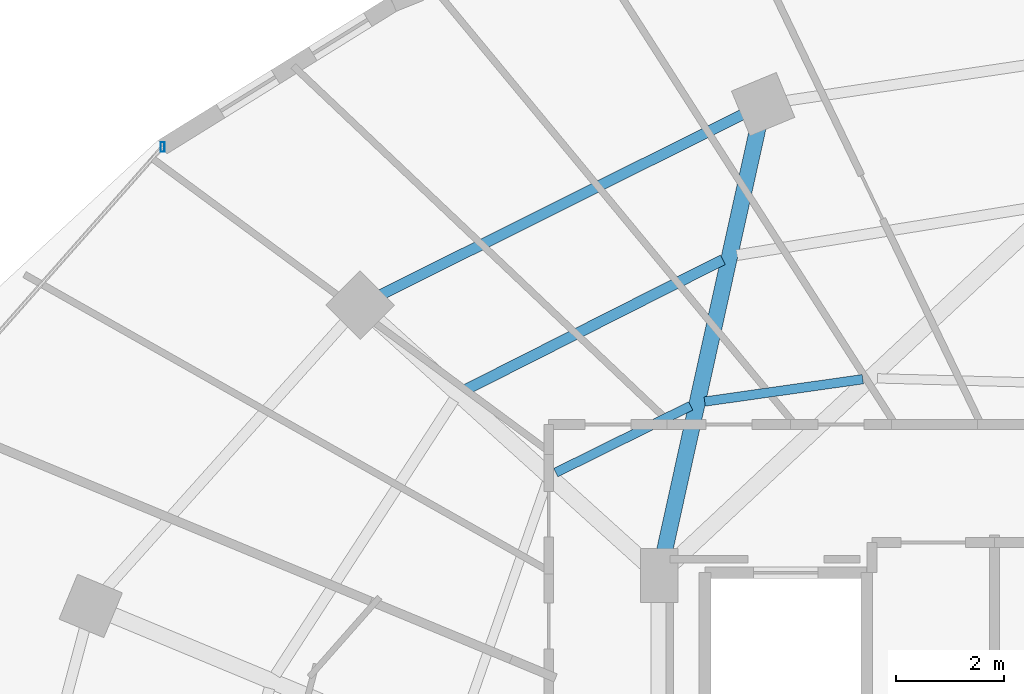
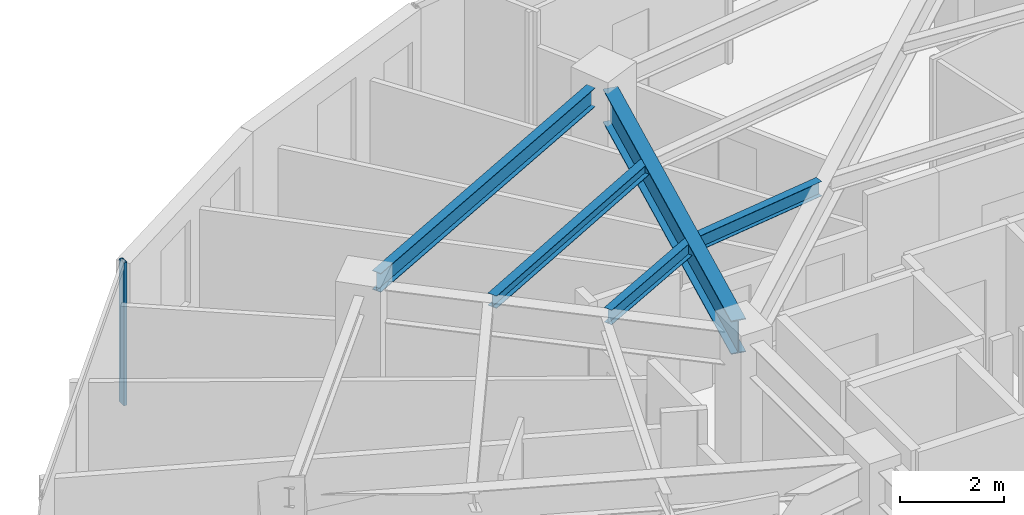
# One storey, part 17 of 33: 5 beams, 1 member, 1 element without a shape of its own.
"""IFC4 building model written with IfcOpenShell, lengths in metres."""

from ifc_helpers import new_model, si_unit, direction, frame, origin, origin_2d, place, context, subcontext, project, spatial, hollow_rectangle, i_section, extrude, material, material_profile, profile_set, type_object, element, aggregate, save


model = new_model("IFC4")

# Units and contexts
model_context = context("Model", 3, precision=1e-05, world=origin(), true_north=direction((0.0, 1.0)))
body_context = subcontext(model_context, "Body", "Model", "MODEL_VIEW")
ifc_project = project(units=[si_unit("LENGTHUNIT", "METRE"), si_unit("AREAUNIT", "SQUARE_METRE"), si_unit("VOLUMEUNIT", "CUBIC_METRE"), si_unit("PLANEANGLEUNIT", "RADIAN"), si_unit("MASSUNIT", "GRAM", prefix="KILO")], contexts=[model_context])

# Site, building, storey
site_placement = place(None, origin())
site = spatial("IfcSite", under=ifc_project, at=site_placement, CompositionType="ELEMENT")
building_placement = place(site_placement, origin())
building = spatial("IfcBuilding", under=site, at=building_placement, Name="Vorneva Point Tower", CompositionType="ELEMENT")
storey_placement = place(building_placement, frame((0.0, 0.0, 217.85009765625)))
storey = spatial("IfcBuildingStorey", under=building, at=storey_placement, Name="L59", CompositionType="ELEMENT", Elevation=217.85009765625)

# Beams
ifc_material_1 = material(Name="Steel S355", Category="steel")
ifc_material_profile_1 = material_profile(ifc_material_1, i_section(OverallWidth=0.300048828125, OverallDepth=0.7880859375, WebThickness=0.014404296875, FlangeThickness=0.02197265625, at=origin_2d()), Name="80Sh1")
ifc_profile_set_1 = profile_set([ifc_material_profile_1], Name="Steel S355")
beam_type_1 = type_object("IfcBeamType", Name="BM-GRD-80Sh1", PredefinedType="USERDEFINED", material=ifc_profile_set_1)
beam_1_placement = place(storey_placement, frame((29.084716796875, 41.462890625, 2.89599609375), z_axis=(-0.215522758292, -0.976498817541, 0.0), x_axis=(0.976498817541, -0.215522758292, 0.0)))
element("IfcBeam", 1, at=beam_1_placement, inside=storey, type_object=beam_type_1, Name="L59 Radial Primary Girder 06", ObjectType="GIRDER", PredefinedType="USERDEFINED", context=body_context, shape_type="SweptSolid", body=[
    extrude(i_section(OverallWidth=0.300048828125, OverallDepth=0.7880859375, WebThickness=0.014404296875, FlangeThickness=0.02197265625, at=origin_2d()), origin(), (0.0, 0.0, 1.0), 8.173095703125),
])
ifc_material_profile_2 = material_profile(ifc_material_1, i_section(OverallWidth=0.199951171875, OverallDepth=0.291015625, WebThickness=0.008056640625, FlangeThickness=0.010986328125, at=origin_2d()), Name="30Sh1")
ifc_profile_set_2 = profile_set([ifc_material_profile_2], Name="Steel S355")
beam_type_2 = type_object("IfcBeamType", Name="BM-SEC-30Sh1", PredefinedType="BEAM", material=ifc_profile_set_2)
beam_2_placement = place(storey_placement, frame((28.43310546875, 39.00634765625, 3.144287109375), z_axis=(-0.892445275424, -0.451155660912, 0.0), x_axis=(0.451155660912, -0.892445275424, 0.0)))
element("IfcBeam", 2, at=beam_2_placement, inside=storey, type_object=beam_type_2, Name="L59 Secondary Floor Beam 1.06", PredefinedType="BEAM", context=body_context, shape_type="SweptSolid", body=[
    extrude(i_section(OverallWidth=0.199951171875, OverallDepth=0.291015625, WebThickness=0.008056640625, FlangeThickness=0.010986328125, at=origin_2d()), origin(), (0.0, 0.0, 1.0), 5.369873046875),
])
ifc_material_profile_3 = material_profile(ifc_material_1, i_section(OverallWidth=0.174072265625, OverallDepth=0.345947265625, WebThickness=0.006103515625, FlangeThickness=0.009033203125, at=origin_2d()), Name="35B1")
ifc_profile_set_3 = profile_set([ifc_material_profile_3], Name="Steel S355")
beam_type_3 = type_object("IfcBeamType", Name="BM-SEC-35B1", PredefinedType="BEAM", material=ifc_profile_set_3)
beam_3_placement = place(storey_placement, frame((31.027099609375, 36.78955078125, 3.116943359375), z_axis=(-0.990136526525, -0.140105884393, 0.0), x_axis=(0.140105884393, -0.990136526525, 0.0)))
element("IfcBeam", 3, at=beam_3_placement, inside=storey, type_object=beam_type_3, Name="L59 Secondary Floor Beam 2.05", PredefinedType="BEAM", context=body_context, shape_type="SweptSolid", body=[
    extrude(i_section(OverallWidth=0.174072265625, OverallDepth=0.345947265625, WebThickness=0.006103515625, FlangeThickness=0.009033203125, at=origin_2d()), origin(), (0.0, 0.0, 1.0), 2.96240234375),
])
beam_4_placement = place(storey_placement, frame((27.833740234375, 36.2939453125, 3.116943359375), z_axis=(-0.896290822353, -0.443466753845, 0.0), x_axis=(0.443466753845, -0.896290822353, 0.0)))
element("IfcBeam", 4, at=beam_4_placement, inside=storey, type_object=beam_type_3, Name="L59 Secondary Floor Beam 2.06", PredefinedType="BEAM", context=body_context, shape_type="SweptSolid", body=[
    extrude(i_section(OverallWidth=0.174072265625, OverallDepth=0.345947265625, WebThickness=0.006103515625, FlangeThickness=0.009033203125, at=origin_2d()), origin(), (0.0, 0.0, 1.0), 2.791748046875),
])
ifc_material_profile_4 = material_profile(ifc_material_1, i_section(OverallWidth=0.198974609375, OverallDepth=0.446044921875, WebThickness=0.008056640625, FlangeThickness=0.011962890625, at=origin_2d()), Name="45B1")
ifc_profile_set_4 = profile_set([ifc_material_profile_4], Name="Steel S355")
beam_type_4 = type_object("IfcBeamType", Name="BM-SPN-45B1", PredefinedType="SPANDREL", material=ifc_profile_set_4)
beam_5_placement = place(storey_placement, frame((28.789794921875, 41.696533203125, 3.06689453125), z_axis=(-0.894922371084, -0.446221861559, 0.0), x_axis=(0.446221861559, -0.894922371084, 0.0)))
element("IfcBeam", 5, at=beam_5_placement, inside=storey, type_object=beam_type_4, Name="L59 Perimeter Spandrel Ring Beam 06", PredefinedType="SPANDREL", context=body_context, shape_type="SweptSolid", body=[
    extrude(i_section(OverallWidth=0.198974609375, OverallDepth=0.446044921875, WebThickness=0.008056640625, FlangeThickness=0.011962890625, at=origin_2d()), origin(), (0.0, 0.0, 1.0), 7.48583984375),
])

# Curtain wall, member
ifc_material_2 = material(Name="Pale anodised aluminium", Category="aluminium")
curtain_wall_type = type_object("IfcCurtainWallType", Name="CW-RES-SYS", PredefinedType="NOTDEFINED", material=ifc_material_2)
curtain_wall_placement = place(storey_placement, origin())
curtain_wall = element("IfcCurtainWall", 6, at=curtain_wall_placement, inside=storey, type_object=curtain_wall_type, Name="L59 Unitised Curtain Wall CW-L59-R02", PredefinedType="NOTDEFINED")
ifc_material_profile_5 = material_profile(ifc_material_2, hollow_rectangle(XDim=0.074951171875, YDim=0.179931640625, WallThickness=0.00390625, at=origin_2d()), Name="AL-MUL 180x75x4")
ifc_profile_set_5 = profile_set([ifc_material_profile_5], Name="Pale anodised aluminium")
member_type = type_object("IfcMemberType", Name="CW-MUL-180", PredefinedType="MULLION", material=ifc_profile_set_5)
member_placement = place(storey_placement, frame((18.038330078125, 41.0966796875, -0.0400390625), z_axis=(0.0, 0.0, 1.0), x_axis=(1.0, 0.0, 0.0)))
member = element("IfcMember", 7, at=member_placement, type_object=member_type, Name="CW-L59-R02 Mullion 01", PredefinedType="MULLION", context=body_context, shape_type="SweptSolid", body=[
    extrude(hollow_rectangle(XDim=0.074951171875, YDim=0.179931640625, WallThickness=0.00390625, at=origin_2d()), origin(), (0.0, 0.0, 1.0), 3.35986328125),
])
aggregate(curtain_wall, [member])

save(model, "model.ifc")
